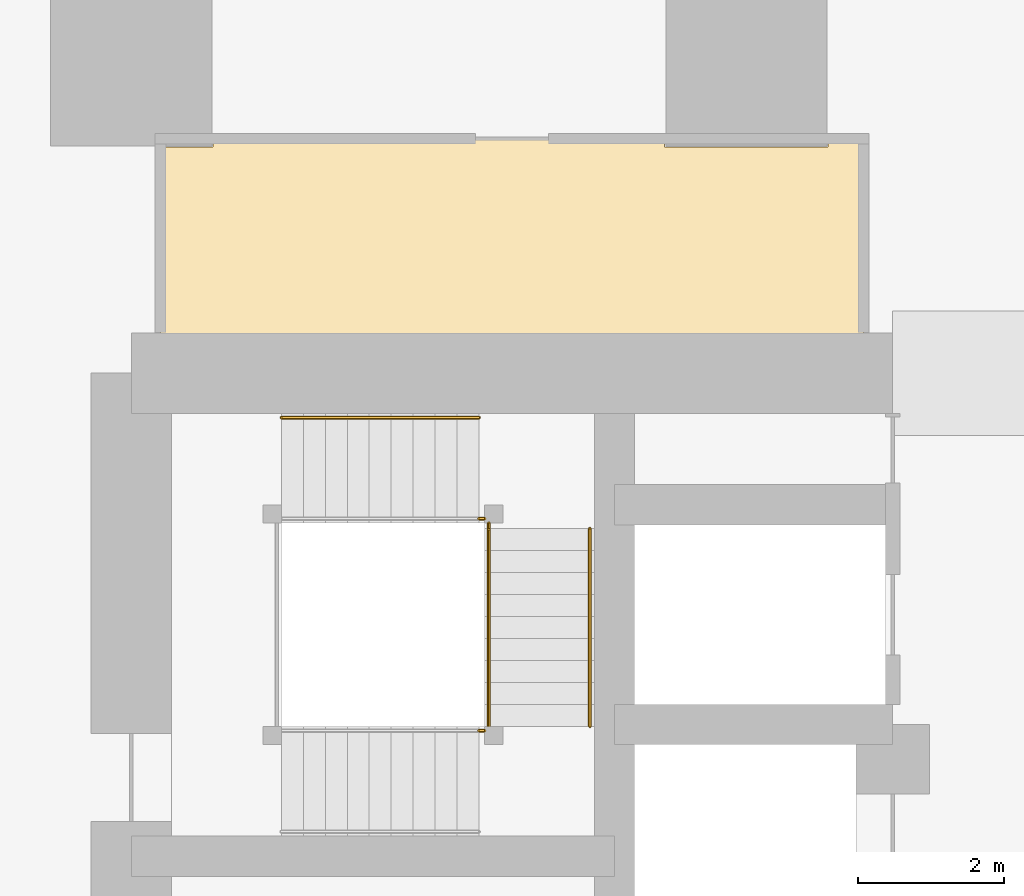
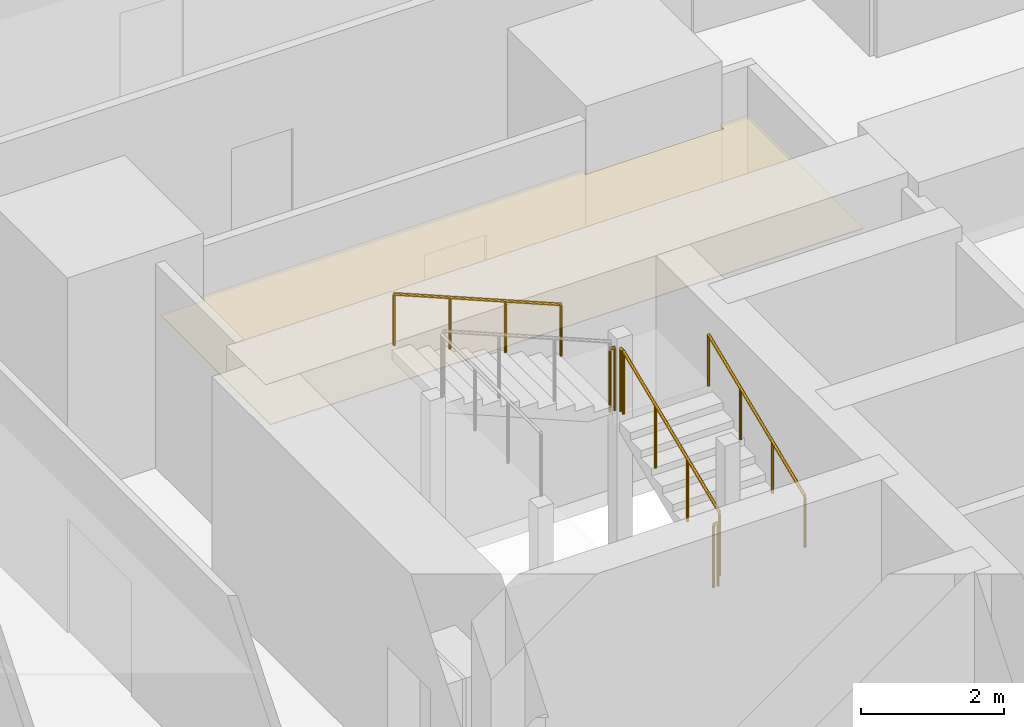
# One storey, part 41 of 44: 6 railings, 1 covering.
"""IFC4 building model written with IfcOpenShell, lengths in metres."""

from ifc_helpers import new_model, si_unit, direction, frame, origin, origin_2d, place, context, subcontext, project, spatial, polyline, circle, outline, extrude, material, layer, layer_set, type_object, element, save


model = new_model("IFC4")

# Units and contexts
model_context = context("Model", 3, precision=1e-05, world=origin(), true_north=direction((0.0, 1.0)))
body_context = subcontext(model_context, "Body", "Model", "MODEL_VIEW")
ifc_project = project(units=[si_unit("LENGTHUNIT", "METRE"), si_unit("AREAUNIT", "SQUARE_METRE"), si_unit("VOLUMEUNIT", "CUBIC_METRE"), si_unit("PLANEANGLEUNIT", "RADIAN"), si_unit("MASSUNIT", "GRAM", prefix="KILO")], contexts=[model_context])

# Site, building, storey
site_placement = place(None, origin())
site = spatial("IfcSite", under=ifc_project, at=site_placement, CompositionType="ELEMENT")
building_placement = place(site_placement, origin())
building = spatial("IfcBuilding", under=site, at=building_placement, Name="Rekha Terrace Tower", CompositionType="ELEMENT")
storey_placement = place(building_placement, frame((0.0, 0.0, 74.14990234375)))
storey = spatial("IfcBuildingStorey", under=building, at=storey_placement, Name="L18", CompositionType="ELEMENT", Elevation=74.14990234375)

# Covering
ifc_material_1 = material(Name="Fibre cement board", Category="finish")
ifc_layer = layer(ifc_material_1, 0.014892578125)
ifc_layer_set = layer_set([ifc_layer], Name="Fibre cement board")
covering_type = type_object("IfcCoveringType", Name="CL2 moisture-resistant board ceiling", PredefinedType="CEILING", material=ifc_layer_set)
covering_placement = place(storey_placement, frame((0.0, 0.0, 2.585205078125)))
element("IfcCovering", 1, at=covering_placement, inside=storey, type_object=covering_type, Name="Ceiling L18-WCF2", PredefinedType="CEILING", context=body_context, shape_type="SweptSolid", body=[
    extrude(outline(polyline([(26.31494140625, 49.284912109375), (25.60009765625, 49.284912109375), (25.60009765625, 46.199951171875), (35.199951171875, 46.199951171875), (35.199951171875, 49.39990234375), (34.715087890625, 49.39990234375), (34.715087890625, 49.284912109375), (32.485107421875, 49.284912109375), (32.485107421875, 49.39990234375), (26.31494140625, 49.39990234375), (26.31494140625, 49.284912109375)])), origin(), (0.0, 0.0, 1.0), 0.014892578125),
])

# Railings
ifc_material_2 = material(Name="Stainless steel balustrade", Category="steel")
railing_type_1 = type_object("IfcRailingType", Name="GR1 1100 stair guard", PredefinedType="GUARDRAIL", material=ifc_material_2)
railing_1_placement = place(storey_placement, frame((30.0849609375, 41.375, 1.375)))
element("IfcRailing", 2, at=railing_1_placement, inside=storey, type_object=railing_type_1, Name="Guard ST4 L18 flight 2", PredefinedType="GUARDRAIL", context=body_context, shape_type="SweptSolid", body=[
    extrude(circle(Radius=0.02392578125, at=origin_2d()), frame((0.0, 0.0, 1.076171875), z_axis=(0.0, 0.923074453586, 0.384621311341), x_axis=(-1.0, 0.0, 0.0)), (0.0, 0.0, 1.0), 2.925048828125),
    extrude(circle(Radius=0.02099609375, at=origin_2d()), origin(), (0.0, 0.0, 1.0), 1.052001953125),
    extrude(circle(Radius=0.02099609375, at=origin_2d()), frame((0.0, 0.89990234375, 0.375)), (0.0, 0.0, 1.0), 1.052001953125),
    extrude(circle(Radius=0.02099609375, at=origin_2d()), frame((0.0, 1.800048828125, 0.75)), (0.0, 0.0, 1.0), 1.052001953125),
    extrude(circle(Radius=0.02099609375, at=origin_2d()), frame((0.0, 2.699951171875, 1.125)), (0.0, 0.0, 1.0), 1.052001953125),
])
railing_2_placement = place(storey_placement, frame((29.949951171875, 41.31494140625, 1.25)))
element("IfcRailing", 3, at=railing_2_placement, inside=storey, type_object=railing_type_1, Name="Guard ST4 L18 landing 1", PredefinedType="GUARDRAIL", context=body_context, shape_type="SweptSolid", body=[
    extrude(circle(Radius=0.02392578125, at=origin_2d()), frame((0.0, 0.0, 1.076171875), z_axis=(1.0, 0.0, 0.0), x_axis=(0.0, 1.0, 0.0)), (0.0, 0.0, 1.0), 0.074951171875),
    extrude(circle(Radius=0.02099609375, at=origin_2d()), origin(), (0.0, 0.0, 1.0), 1.052001953125),
    extrude(circle(Radius=0.02099609375, at=origin_2d()), frame((0.074951171875, 0.0, 0.0)), (0.0, 0.0, 1.0), 1.052001953125),
])
railing_3_placement = place(storey_placement, frame((30.0849609375, 44.074951171875, 2.5)))
element("IfcRailing", 4, at=railing_3_placement, inside=storey, type_object=railing_type_1, Name="Guard ST4 L18 landing 2", PredefinedType="GUARDRAIL", context=body_context, shape_type="SweptSolid", body=[
    extrude(circle(Radius=0.02392578125, at=origin_2d()), frame((0.0, 0.0, 1.076171875), z_axis=(0.0, 1.0, 0.0), x_axis=(-1.0, 0.0, 0.0)), (0.0, 0.0, 1.0), 0.074951171875),
    extrude(circle(Radius=0.02099609375, at=origin_2d()), origin(), (0.0, 0.0, 1.0), 1.052001953125),
    extrude(circle(Radius=0.02099609375, at=origin_2d()), frame((0.0, 0.074951171875, 0.0)), (0.0, 0.0, 1.0), 1.052001953125),
])
railing_4_placement = place(storey_placement, frame((29.949951171875, 44.2099609375, 2.5)))
element("IfcRailing", 5, at=railing_4_placement, inside=storey, type_object=railing_type_1, Name="Guard ST4 L18 landing 3", PredefinedType="GUARDRAIL", context=body_context, shape_type="SweptSolid", body=[
    extrude(circle(Radius=0.02392578125, at=origin_2d()), frame((0.0, 0.0, 1.076171875), z_axis=(1.0, 0.0, 0.0), x_axis=(0.0, 1.0, 0.0)), (0.0, 0.0, 1.0), 0.074951171875),
    extrude(circle(Radius=0.02099609375, at=origin_2d()), origin(), (0.0, 0.0, 1.0), 1.052001953125),
    extrude(circle(Radius=0.02099609375, at=origin_2d()), frame((0.074951171875, 0.0, 0.0)), (0.0, 0.0, 1.0), 1.052001953125),
])
ifc_material_3 = material(Name="Stainless steel tube", Category="steel")
railing_type_2 = type_object("IfcRailingType", Name="HR1 900 stair handrail", PredefinedType="HANDRAIL", material=ifc_material_3)
railing_5_placement = place(storey_placement, frame((31.465087890625, 41.375, 1.375)))
element("IfcRailing", 6, at=railing_5_placement, inside=storey, type_object=railing_type_2, Name="Handrail ST4 L18 flight 2", PredefinedType="HANDRAIL", context=body_context, shape_type="SweptSolid", body=[
    extrude(circle(Radius=0.02392578125, at=origin_2d()), frame((0.0, 0.0, 0.8759765625), z_axis=(0.0, 0.923074453586, 0.384621311341), x_axis=(-1.0, 0.0, 0.0)), (0.0, 0.0, 1.0), 2.925048828125),
    extrude(circle(Radius=0.02099609375, at=origin_2d()), origin(), (0.0, 0.0, 1.0), 0.851806640625),
    extrude(circle(Radius=0.02099609375, at=origin_2d()), frame((0.0, 0.89990234375, 0.375)), (0.0, 0.0, 1.0), 0.851806640625),
    extrude(circle(Radius=0.02099609375, at=origin_2d()), frame((0.0, 1.800048828125, 0.75)), (0.0, 0.0, 1.0), 0.851806640625),
    extrude(circle(Radius=0.02099609375, at=origin_2d()), frame((0.0, 2.699951171875, 1.125)), (0.0, 0.0, 1.0), 0.851806640625),
])
railing_6_placement = place(storey_placement, frame((29.949951171875, 45.590087890625, 2.625)))
element("IfcRailing", 7, at=railing_6_placement, inside=storey, type_object=railing_type_2, Name="Handrail ST4 L18 flight 3", PredefinedType="HANDRAIL", context=body_context, shape_type="SweptSolid", body=[
    extrude(circle(Radius=0.02392578125, at=origin_2d()), frame((0.0, 0.0, 0.8759765625), z_axis=(-0.923074453586, 0.0, 0.384621311341), x_axis=(0.0, -1.0, 0.0)), (0.0, 0.0, 1.0), 2.925048828125),
    extrude(circle(Radius=0.02099609375, at=origin_2d()), origin(), (0.0, 0.0, 1.0), 0.851806640625),
    extrude(circle(Radius=0.02099609375, at=origin_2d()), frame((-0.89990234375, 0.0, 0.375)), (0.0, 0.0, 1.0), 0.851806640625),
    extrude(circle(Radius=0.02099609375, at=origin_2d()), frame((-1.800048828125, 0.0, 0.75)), (0.0, 0.0, 1.0), 0.851806640625),
    extrude(circle(Radius=0.02099609375, at=origin_2d()), frame((-2.699951171875, 0.0, 1.125)), (0.0, 0.0, 1.0), 0.851806640625),
])

save(model, "model.ifc")
